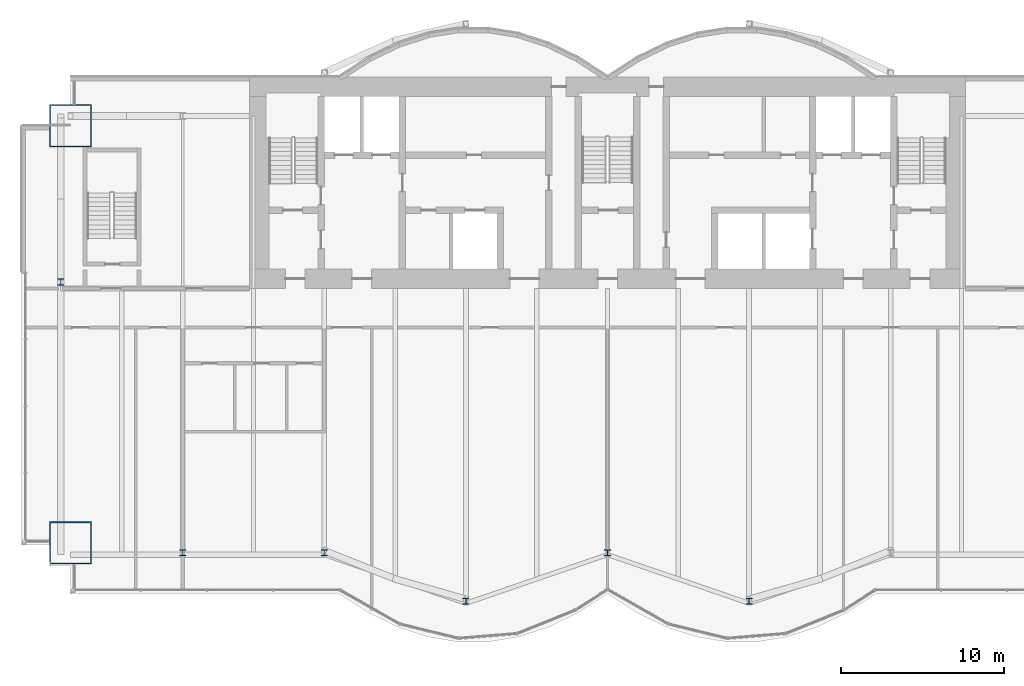
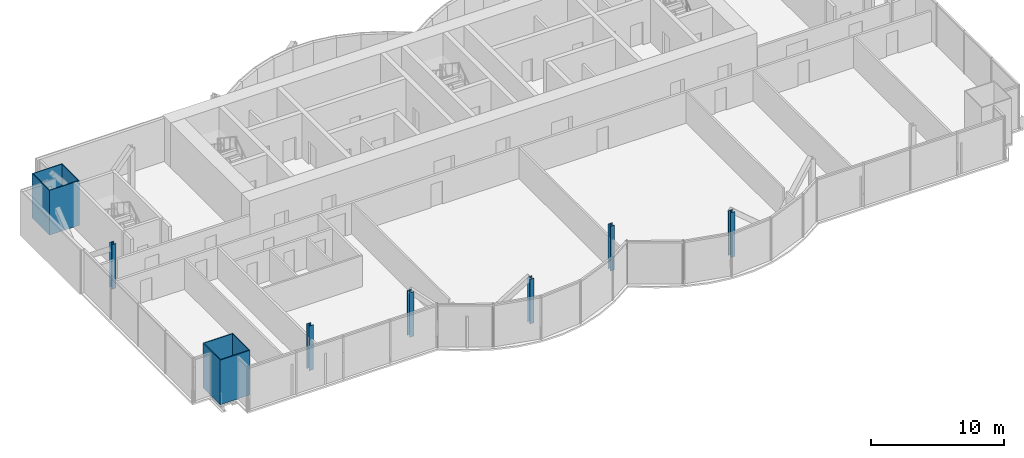
# One storey, part 1 of 20: 8 columns.
"""IFC4 building model written with IfcOpenShell, lengths in metres."""

import ifcopenshell
import ifcopenshell.guid

model = None  # the IFC model being written
_history = None  # IfcOwnerHistory: only IFC2X3 demands one
_inside = {}  # id of a spatial element -> (the spatial element, [elements in it])
_under = {}  # id of a project, library or spatial element -> (it, [spatial elements below it])
_declared = {}  # id of a project -> (the project, [libraries it declares])
_typed = {}  # id of a type object -> (the type object, [elements of that type])
_made_of = {}  # id of a material, layer set ... -> (it, [elements and type objects made of it])


def new_model(schema):
    """Start an empty IFC model of exactly this schema.

    Asked for "IFC4X3", IfcOpenShell would pick the latest addendum, in which some entities
    have other attributes; the version numbers below select the first issue.
    IFC2X3 requires an IfcOwnerHistory on every rooted entity: one is made here for all.
    """
    global model, _history
    if schema == "IFC4X3":
        model = ifcopenshell.file(schema_version=(4, 3, 0, 0))
    else:
        model = ifcopenshell.file(schema=schema)
    _inside.clear()
    _under.clear()
    _declared.clear()
    _typed.clear()
    _made_of.clear()
    _history = None
    if model.schema == "IFC2X3":
        org = make("IfcOrganization", Name="unknown")
        user = make(
            "IfcPersonAndOrganization",
            ThePerson=make("IfcPerson", FamilyName="unknown"),
            TheOrganization=org,
        )
        app = make(
            "IfcApplication",
            ApplicationDeveloper=org,
            Version="unknown",
            ApplicationFullName="unknown",
            ApplicationIdentifier="unknown",
        )
        _history = make(
            "IfcOwnerHistory",
            OwningUser=user,
            OwningApplication=app,
            ChangeAction="ADDED",
            CreationDate=0,
        )
    return model


def make(cls, **values):
    """One entity of the class cls with the attributes given. An attribute that is None is left unset."""
    return model.create_entity(
        cls, **{name: value for name, value in values.items() if value is not None}
    )


def rooted(cls, **values):
    """An entity with a GlobalId (a new one), such as an element, a storey or a relation."""
    return make(cls, GlobalId=ifcopenshell.guid.new(), OwnerHistory=_history, **values)


def si_unit(unit_type, name, prefix=None):
    """IfcSIUnit, for example si_unit("LENGTHUNIT", "METRE", prefix="MILLI")."""
    return make("IfcSIUnit", UnitType=unit_type, Prefix=prefix, Name=name)


def assignment(units):
    """IfcUnitAssignment: the units of a project."""
    return None if units is None else make("IfcUnitAssignment", Units=units)


def point(xyz):
    """IfcCartesianPoint."""
    return None if xyz is None else make("IfcCartesianPoint", Coordinates=xyz)


def direction(xyz):
    """IfcDirection."""
    return None if xyz is None else make("IfcDirection", DirectionRatios=xyz)


def frame(location, z_axis=None, x_axis=None):
    """IfcAxis2Placement3D, a coordinate frame: its origin and axes. An axis left out is left unset."""
    return make(
        "IfcAxis2Placement3D",
        Location=point(location),
        Axis=direction(z_axis),
        RefDirection=direction(x_axis),
    )


def frame_2d(location, x_axis=None):
    """IfcAxis2Placement2D, a coordinate frame in the plane: its origin and x axis."""
    return make(
        "IfcAxis2Placement2D", Location=point(location), RefDirection=direction(x_axis)
    )


def origin():
    """The frame at (0, 0, 0) with its axes left unset."""
    return frame((0.0, 0.0, 0.0))


def origin_2d():
    """The frame at (0, 0) in the plane with its x axis left unset."""
    return frame_2d((0.0, 0.0))


def place(relative_to, where):
    """IfcLocalPlacement: puts the frame where relative to a parent placement (None: the world)."""
    return make(
        "IfcLocalPlacement", PlacementRelTo=relative_to, RelativePlacement=where
    )


def context(
    kind, dimensions, precision=None, world=None, true_north=None, identifier=None
):
    """IfcGeometricRepresentationContext, for example the 3D "Model" context."""
    return make(
        "IfcGeometricRepresentationContext",
        ContextIdentifier=identifier,
        ContextType=kind,
        CoordinateSpaceDimension=dimensions,
        Precision=precision,
        WorldCoordinateSystem=world,
        TrueNorth=true_north,
    )


def subcontext(parent, identifier, kind, view, scale=None):
    """IfcGeometricRepresentationSubContext, for example "Body" below "Model"."""
    return make(
        "IfcGeometricRepresentationSubContext",
        ContextIdentifier=identifier,
        ContextType=kind,
        ParentContext=parent,
        TargetScale=scale,
        TargetView=view,
    )


def project(units=None, contexts=None):
    """IfcProject with its units and contexts."""
    return rooted(
        "IfcProject",
        Name="project",
        RepresentationContexts=contexts,
        UnitsInContext=assignment(units),
    )


def spatial(cls, under=None, at=None, **own):
    """A site, building, storey or space (cls), placed at a placement, below another one or the project."""
    s = rooted(cls, ObjectPlacement=at, **own)
    if under is not None:
        _under.setdefault(under.id(), (under, []))[1].append(s)
    return s


def profile(cls, at=None, kind="AREA", **sizes):
    """A parametric profile (cls). Its sizes go by their IFC names, for example OverallWidth=200.0."""
    return make(cls, ProfileType=kind, Position=at, **sizes)


def hollow_rectangle(**sizes):
    """IfcRectangleHollowProfileDef."""
    return profile("IfcRectangleHollowProfileDef", **sizes)


def i_section(**sizes):
    """IfcIShapeProfileDef."""
    return profile("IfcIShapeProfileDef", **sizes)


def extrude(swept, where, along, depth):
    """IfcExtrudedAreaSolid: the profile swept, set in the frame where, extruded along a direction by depth."""
    return make(
        "IfcExtrudedAreaSolid",
        SweptArea=swept,
        Position=where,
        ExtrudedDirection=direction(along),
        Depth=depth,
    )


def shape(context_of_items, identifier, shape_type, items):
    """IfcShapeRepresentation: the items that make up one representation, for example the "Body"."""
    return make(
        "IfcShapeRepresentation",
        ContextOfItems=context_of_items,
        RepresentationIdentifier=identifier,
        RepresentationType=shape_type,
        Items=items,
    )


def material(Name=None, Category=None):
    """IfcMaterial."""
    return make("IfcMaterial", Name=Name, Category=Category)


def material_profile(
    of_material, cross_section, Name=None, Category=None, Priority=None
):
    """IfcMaterialProfile: a cross section and its material."""
    return make(
        "IfcMaterialProfile",
        Name=Name,
        Material=of_material,
        Profile=cross_section,
        Priority=Priority,
        Category=Category,
    )


def profile_set(profiles, Name=None, composite=None):
    """IfcMaterialProfileSet."""
    return make(
        "IfcMaterialProfileSet",
        Name=Name,
        MaterialProfiles=profiles,
        CompositeProfile=composite,
    )


def made_of(thing, what):
    """Note that an element or type object is made of a material, layer set ...; save() writes the relation."""
    if what is not None:
        _made_of.setdefault(what.id(), (what, []))[1].append(thing)
    return thing


def type_object(cls, material=None, **own):
    """A type object (cls), such as IfcWallType, which elements share."""
    return made_of(rooted(cls, **own), material)


def element(
    cls,
    number,
    at=None,
    inside=None,
    cuts=None,
    type_object=None,
    material=None,
    context=None,
    identifier="Body",
    shape_type=None,
    held_by="IfcProductDefinitionShape",
    body=None,
    shapes=None,
    **own,
):
    """One element of the class cls, such as IfcWall. Its Tag is "e" and its number.

    at: its placement. inside: the storey or other place that contains it. cuts: it is an
    opening in that element (IfcRelVoidsElement). A single representation is given by context,
    identifier, shape_type and body (its items); several are given by shapes. held_by: the class
    of the entity that holds the representations. save() writes the other relations.
    """
    e = rooted(cls, Tag="e%d" % number, ObjectPlacement=at, **own)
    if body is not None:
        shapes = [shape(context, identifier, shape_type, body)]
    if shapes is not None:
        e.Representation = make(held_by, Representations=shapes)
    if inside is not None:
        _inside.setdefault(inside.id(), (inside, []))[1].append(e)
    if cuts is not None:
        rooted(
            "IfcRelVoidsElement", RelatingBuildingElement=cuts, RelatedOpeningElement=e
        )
    if type_object is not None:
        _typed.setdefault(type_object.id(), (type_object, []))[1].append(e)
    return made_of(e, material)


def aggregate(whole, parts):
    """IfcRelAggregates: a whole, such as a stair, and the parts it consists of."""
    return rooted("IfcRelAggregates", RelatingObject=whole, RelatedObjects=parts)


def save(model, path):
    """Write the relations noted so far, then the file.

    IfcRelAggregates (storeys below a building ...), IfcRelContainedInSpatialStructure (elements
    in a storey), IfcRelDefinesByType, IfcRelAssociatesMaterial and IfcRelDeclares: one each for
    every whole, place, type object, material and project.
    """
    for whole, parts in _under.values():
        aggregate(whole, parts)
    for where, things in _inside.values():
        rooted(
            "IfcRelContainedInSpatialStructure",
            RelatedElements=things,
            RelatingStructure=where,
        )
    for kind, things in _typed.values():
        rooted("IfcRelDefinesByType", RelatedObjects=things, RelatingType=kind)
    for what, things in _made_of.values():
        rooted("IfcRelAssociatesMaterial", RelatedObjects=things, RelatingMaterial=what)
    for by, libraries in _declared.values():
        rooted("IfcRelDeclares", RelatingContext=by, RelatedDefinitions=libraries)
    model.write(path)


model = new_model("IFC4")

# Units and contexts
model_context = context("Model", 3, precision=1e-05, world=origin(), true_north=direction((0.0, 1.0)))
body_context = subcontext(model_context, "Body", "Model", "MODEL_VIEW")
ifc_project = project(units=[si_unit("LENGTHUNIT", "METRE"), si_unit("AREAUNIT", "SQUARE_METRE"), si_unit("VOLUMEUNIT", "CUBIC_METRE"), si_unit("PLANEANGLEUNIT", "RADIAN"), si_unit("MASSUNIT", "GRAM", prefix="KILO")], contexts=[model_context])

# Site, building, storey
site_placement = place(None, origin())
site = spatial("IfcSite", under=ifc_project, at=site_placement, CompositionType="ELEMENT")
building_placement = place(site_placement, origin())
building = spatial("IfcBuilding", under=site, at=building_placement, Name="Bicima Exchange Tower", CompositionType="ELEMENT")
storey_placement = place(building_placement, frame((0.0, 0.0, 215.5)))
storey = spatial("IfcBuildingStorey", under=building, at=storey_placement, Name="L48", CompositionType="ELEMENT", Elevation=215.5)

# Columns
ifc_material_1 = material(Name="Steel ASTM A572 Gr 50", Category="steel")
ifc_material_profile_1 = material_profile(ifc_material_1, hollow_rectangle(XDim=2.60009765625, YDim=2.60009765625, WallThickness=0.070068359375, at=origin_2d()))
ifc_profile_set_1 = profile_set([ifc_material_profile_1], Name="Steel ASTM A572 Gr 50")
column_type_1 = type_object("IfcColumnType", Name="Mega column BOX 2600x2600x70", PredefinedType="COLUMN", material=ifc_profile_set_1)
for number, where, z_axis, x_axis, name in (
    (1, (-33.0, -28.6298828125, 0.0), (0.0, 0.0, 1.0), (1.0, 0.0, 0.0), "Mega column mega-33.0f"),
    (2, (-33.0, -3.0, 0.0), (0.0, 0.0, 1.0), (1.0, 0.0, 0.0), "Mega column mega-33.0r"),
):
    element("IfcColumn", number, at=place(storey_placement, frame(where, z_axis=z_axis, x_axis=x_axis)), inside=storey, type_object=column_type_1, Name=name, PredefinedType="COLUMN", context=body_context, shape_type="SweptSolid", body=[
        extrude(hollow_rectangle(XDim=2.60009765625, YDim=2.60009765625, WallThickness=0.070068359375, at=origin_2d()), origin(), (0.0, 0.0, 1.0), 4.10009765625),
    ])
ifc_material_2 = material(Name="Steel ASTM A992 Gr 50", Category="steel")
ifc_material_profile_2 = material_profile(ifc_material_2, i_section(OverallWidth=0.373291015625, OverallDepth=0.373291015625, WebThickness=0.016357421875, FlangeThickness=0.026123046875, at=origin_2d()))
ifc_profile_set_2 = profile_set([ifc_material_profile_2], Name="Steel ASTM A992 Gr 50")
column_type_2 = type_object("IfcColumnType", Name="Perimeter column W14x132", PredefinedType="COLUMN", material=ifc_profile_set_2)
for number, where, z_axis, x_axis, name in (
    (3, (-26.10009765625, -29.22998046875, 0.0), (0.0, 0.0, 1.0), (1.0, 0.0, 0.0), "Perimeter column grav-26.1f"),
    (4, (-17.39990234375, -29.22998046875, 0.0), (0.0, 0.0, 1.0), (1.0, 0.0, 0.0), "Perimeter column grav-17.4f"),
    (5, (-8.699951171875, -32.22119140625, 0.0), (0.0, 0.0, 1.0), (1.0, 0.0, 0.0), "Perimeter column grav-8.7f"),
    (6, (0.0, -29.22998046875, 0.0), (0.0, 0.0, 1.0), (1.0, 0.0, 0.0), "Perimeter column grav-0.0f"),
    (7, (8.699951171875, -32.22119140625, 0.0), (0.0, 0.0, 1.0), (1.0, 0.0, 0.0), "Perimeter column grav+8.7f"),
    (8, (-33.60009765625, -12.60009765625, 0.0), (0.0, 0.0, 1.0), (1.0, 0.0, 0.0), "End column end-33.6e"),
):
    element("IfcColumn", number, at=place(storey_placement, frame(where, z_axis=z_axis, x_axis=x_axis)), inside=storey, type_object=column_type_2, Name=name, PredefinedType="COLUMN", context=body_context, shape_type="SweptSolid", body=[
        extrude(i_section(OverallWidth=0.373291015625, OverallDepth=0.373291015625, WebThickness=0.016357421875, FlangeThickness=0.026123046875, at=origin_2d()), origin(), (0.0, 0.0, 1.0), 4.10009765625),
    ])

save(model, "model.ifc")
